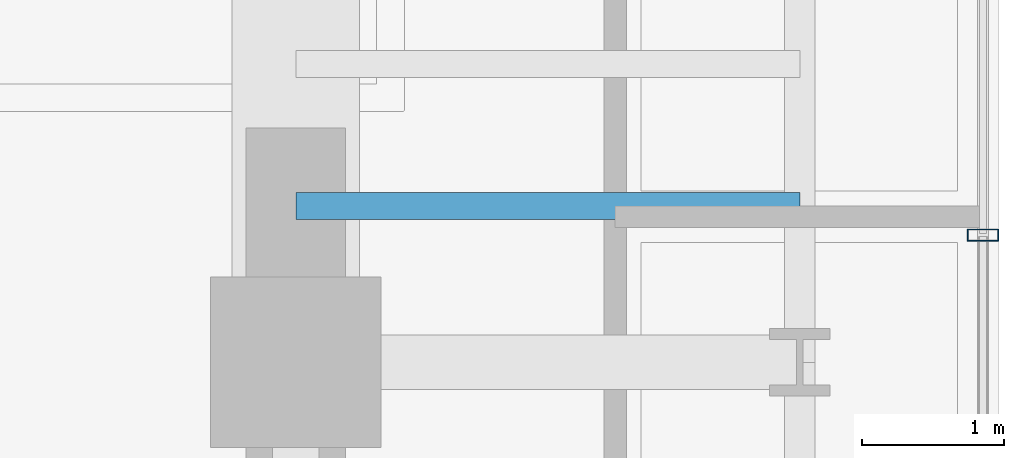
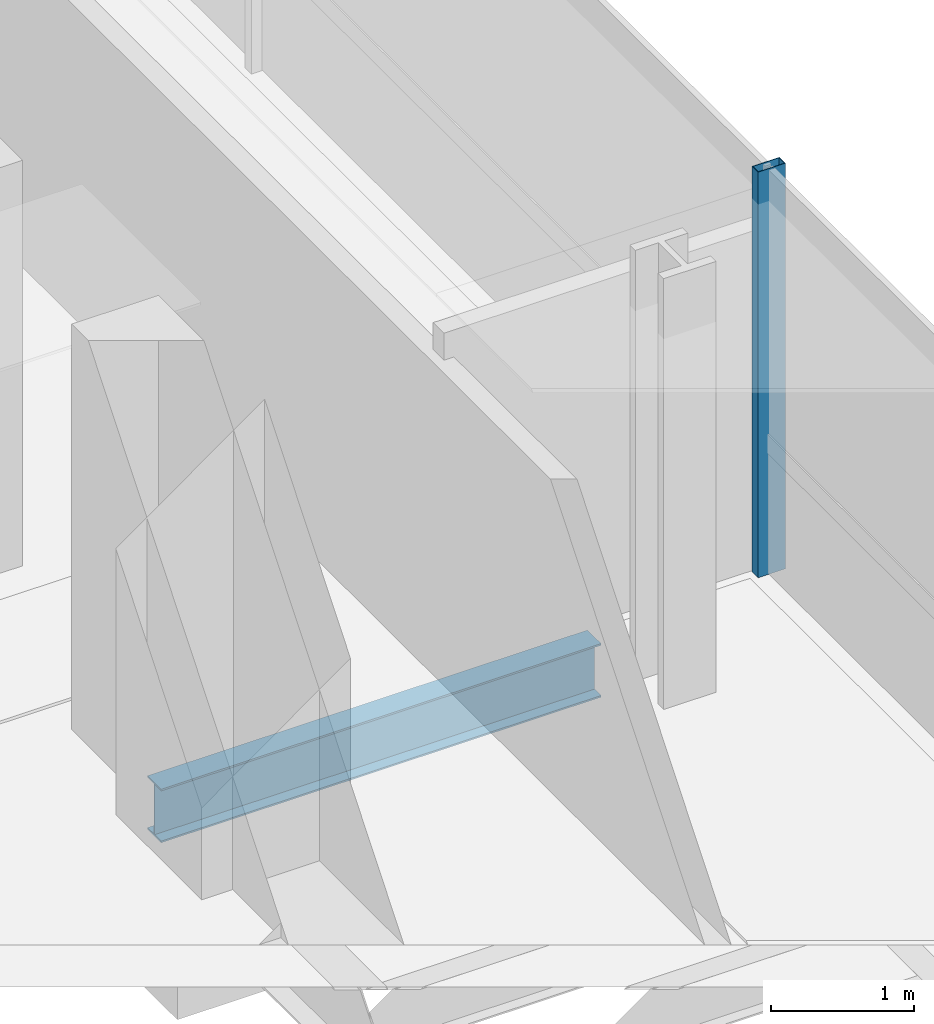
# One storey, part 12 of 34: 1 beam, 1 member, 1 element without a shape of its own.
"""IFC4 building model written with IfcOpenShell, lengths in metres."""

from ifc_helpers import new_model, si_unit, direction, frame, origin, origin_2d, place, context, subcontext, project, spatial, hollow_rectangle, i_section, extrude, source, transform, mapped, material, material_profile, profile_set, type_object, element, aggregate, save


model = new_model("IFC4")

# Units and contexts
model_context = context("Model", 3, precision=1e-05, world=origin(), true_north=direction((0.0, 1.0)))
body_context = subcontext(model_context, "Body", "Model", "MODEL_VIEW")
ifc_project = project(units=[si_unit("LENGTHUNIT", "METRE"), si_unit("AREAUNIT", "SQUARE_METRE"), si_unit("VOLUMEUNIT", "CUBIC_METRE"), si_unit("PLANEANGLEUNIT", "RADIAN"), si_unit("MASSUNIT", "GRAM", prefix="KILO")], contexts=[model_context])

# Site, building, storey
site_placement = place(None, origin())
site = spatial("IfcSite", under=ifc_project, at=site_placement, CompositionType="ELEMENT")
building_placement = place(site_placement, origin())
building = spatial("IfcBuilding", under=site, at=building_placement, Name="Valdorenza Pilgrim Sanctuary Tower", CompositionType="ELEMENT")
storey_placement = place(building_placement, frame((0.0, 0.0, 146.39990234375)))
storey = spatial("IfcBuildingStorey", under=building, at=storey_placement, Name="L37", CompositionType="ELEMENT", Elevation=146.39990234375)

# Beam
ifc_material_1 = material(Name="Steel ASTM A992 Grade 50", Category="steel")
ifc_material_profile_1 = material_profile(ifc_material_1, i_section(OverallWidth=0.19091796875, OverallDepth=0.45703125, WebThickness=0.009033203125, FlangeThickness=0.014404296875, at=origin_2d()), Name="W18X50")
ifc_profile_set_1 = profile_set([ifc_material_profile_1], Name="Steel ASTM A992 Grade 50")
beam_type = type_object("IfcBeamType", Name="STR-BM-JST-W18B", PredefinedType="JOIST", material=ifc_profile_set_1)
shared_shape_1 = source(origin(), body_context, "Body", "SweptSolid", [
    extrude(i_section(OverallWidth=0.19091796875, OverallDepth=0.45703125, WebThickness=0.009033203125, FlangeThickness=0.014404296875, at=origin_2d()), origin(), (0.0, 0.0, 1.0), 3.5498046875),
])
beam_placement = place(storey_placement, frame((24.85009765625, -1.5, -0.468505859375), z_axis=(1.0, 0.0, 0.0), x_axis=(0.0, 1.0, 0.0)))
element("IfcBeam", 1, at=beam_placement, inside=storey, type_object=beam_type, Name="L37 Composite Floor Joist JST-WB-8", PredefinedType="JOIST", context=body_context, shape_type="MappedRepresentation", body=[
    mapped(shared_shape_1, transform((0.0, 0.0, 0.0), x_axis=(1.0, 0.0, 0.0), y_axis=(0.0, 1.0, 0.0), z_axis=(0.0, 0.0, 1.0), scale=1.0)),
])

# Curtain wall, member
ifc_material_2 = material(Name="Curtain-wall IGU glazing", Category="glass")
curtain_wall_type = type_object("IfcCurtainWallType", Name="CW-SYS-03", PredefinedType="NOTDEFINED", material=ifc_material_2)
curtain_wall_placement = place(storey_placement, origin())
curtain_wall = element("IfcCurtainWall", 2, at=curtain_wall_placement, inside=storey, type_object=curtain_wall_type, Name="L37 Curtain Wall CW-L37-1-21", PredefinedType="NOTDEFINED")
ifc_material_3 = material(Name="Anodised aluminium AW-6060", Category="aluminium")
ifc_material_profile_2 = material_profile(ifc_material_3, hollow_rectangle(XDim=0.0849609375, YDim=0.219970703125, WallThickness=0.0048828125, at=origin_2d()), Name="ALU-M 220x85x5")
ifc_profile_set_2 = profile_set([ifc_material_profile_2], Name="Anodised aluminium AW-6060")
member_type = type_object("IfcMemberType", Name="CW-MUL-03", PredefinedType="MULLION", material=ifc_profile_set_2)
shared_shape_2 = source(origin(), body_context, "Body", "SweptSolid", [
    extrude(hollow_rectangle(XDim=0.0849609375, YDim=0.219970703125, WallThickness=0.0048828125, at=origin_2d()), origin(), (0.0, 0.0, 1.0), 3.460205078125),
])
member_placement = place(storey_placement, frame((29.68994140625, -1.7041015625, 0.0), z_axis=(0.0, 0.0, 1.0), x_axis=(0.0, -1.0, 0.0)))
member = element("IfcMember", 3, at=member_placement, type_object=member_type, Name="CW-L37-1-21 Mullion 3", PredefinedType="MULLION", context=body_context, shape_type="MappedRepresentation", body=[
    mapped(shared_shape_2, transform((0.0, 0.0, 0.0), x_axis=(1.0, 0.0, 0.0), y_axis=(0.0, 1.0, 0.0), z_axis=(0.0, 0.0, 1.0), scale=1.0)),
])
aggregate(curtain_wall, [member])

save(model, "model.ifc")
